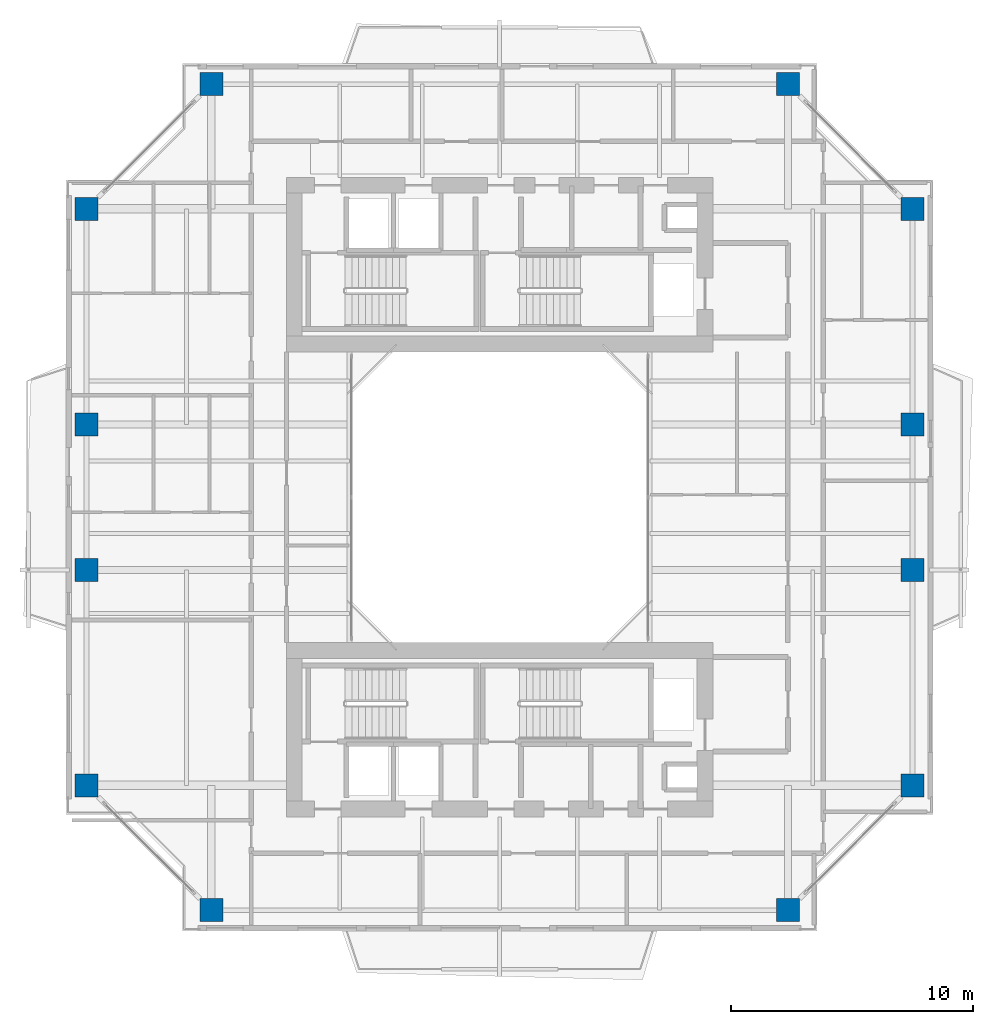
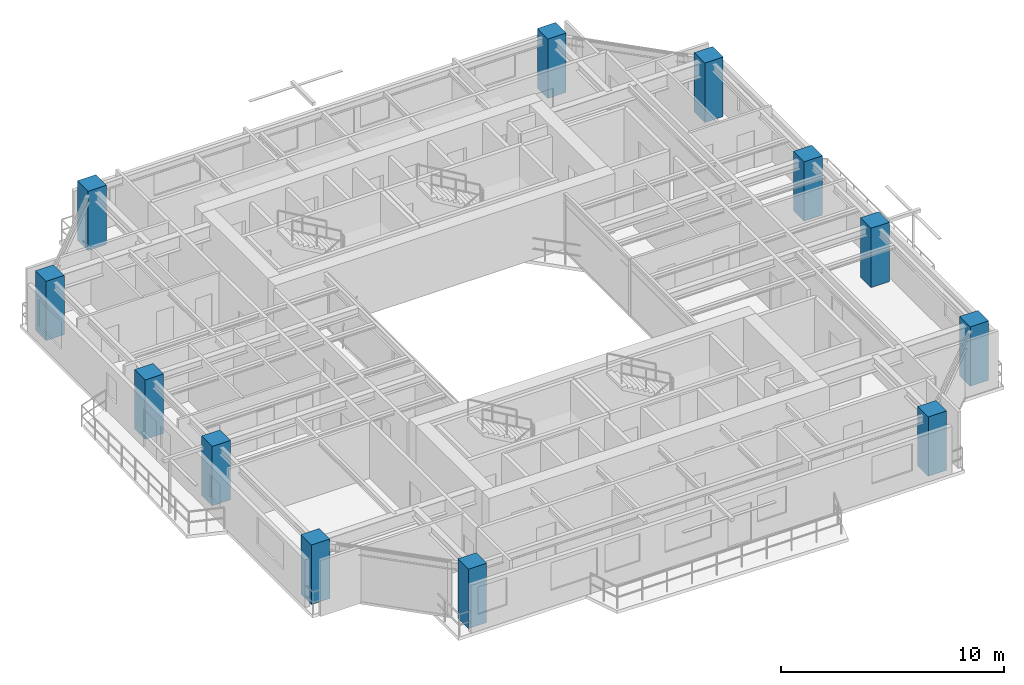
# One storey, part 1 of 17: 12 columns.
"""IFC4 building model written with IfcOpenShell, lengths in metres."""

from ifc_helpers import new_model, si_unit, direction, frame, origin, origin_2d, place, context, subcontext, project, spatial, rectangle, extrude, source, transform, mapped, material, material_profile, profile_set, type_object, element, save


model = new_model("IFC4")

# Units and contexts
model_context = context("Model", 3, precision=1e-05, world=origin(), true_north=direction((0.0, 1.0)))
body_context = subcontext(model_context, "Body", "Model", "MODEL_VIEW")
ifc_project = project(units=[si_unit("LENGTHUNIT", "METRE"), si_unit("AREAUNIT", "SQUARE_METRE"), si_unit("VOLUMEUNIT", "CUBIC_METRE"), si_unit("PLANEANGLEUNIT", "RADIAN"), si_unit("MASSUNIT", "GRAM", prefix="KILO"), si_unit("THERMODYNAMICTEMPERATUREUNIT", "KELVIN"), si_unit("POWERUNIT", "WATT")], contexts=[model_context])

# Site, building, storey
site_placement = place(None, origin())
site = spatial("IfcSite", under=ifc_project, at=site_placement, CompositionType="ELEMENT")
building_placement = place(site_placement, origin())
building = spatial("IfcBuilding", under=site, at=building_placement, Name="Qiaomeng Ring Towers", CompositionType="ELEMENT")
storey_placement = place(building_placement, frame((0.0, 0.0, 150.25)))
storey = spatial("IfcBuildingStorey", under=building, at=storey_placement, Name="L43", CompositionType="ELEMENT", Elevation=150.25)

# Columns
ifc_material = material(Name="Concrete C50", Category="concrete")
ifc_material_profile = material_profile(ifc_material, rectangle(XDim=0.949951171875, YDim=0.949951171875, at=origin_2d()), Name="RC COL 950x950")
ifc_profile_set = profile_set([ifc_material_profile], Name="Concrete C50")
column_type = type_object("IfcColumnType", Name="STR-COL-950-C50", PredefinedType="COLUMN", material=ifc_profile_set)
shared_shape = source(origin(), body_context, "Body", "SweptSolid", [
    extrude(rectangle(XDim=0.949951171875, YDim=0.949951171875, at=origin_2d()), origin(), (0.0, 0.0, 1.0), 3.25),
])
for number, where, z_axis, x_axis, name in (
    (1, (7.10009765625, 5.949951171875, 0.0), (0.0, 0.0, 1.0), (1.0, 0.0, 0.0), "L43 column STR-COL-L43-T1-S1"),
    (2, (30.89990234375, 5.949951171875, 0.0), (0.0, 0.0, 1.0), (1.0, 0.0, 0.0), "L43 column STR-COL-L43-T1-S2"),
    (3, (36.050048828125, 11.10009765625, 0.0), (0.0, 0.0, 1.0), (1.0, 0.0, 0.0), "L43 column STR-COL-L43-T1-E1"),
    (4, (36.050048828125, 20.0, 0.0), (0.0, 0.0, 1.0), (1.0, 0.0, 0.0), "L43 column STR-COL-L43-T1-E2"),
    (5, (36.050048828125, 26.0, 0.0), (0.0, 0.0, 1.0), (1.0, 0.0, 0.0), "L43 column STR-COL-L43-T1-E3"),
    (6, (36.050048828125, 34.89990234375, 0.0), (0.0, 0.0, 1.0), (1.0, 0.0, 0.0), "L43 column STR-COL-L43-T1-E4"),
    (7, (30.89990234375, 40.050048828125, 0.0), (0.0, 0.0, 1.0), (1.0, 0.0, 0.0), "L43 column STR-COL-L43-T1-N2"),
    (8, (7.10009765625, 40.050048828125, 0.0), (0.0, 0.0, 1.0), (1.0, 0.0, 0.0), "L43 column STR-COL-L43-T1-N1"),
    (9, (1.949951171875, 34.89990234375, 0.0), (0.0, 0.0, 1.0), (1.0, 0.0, 0.0), "L43 column STR-COL-L43-T1-W4"),
    (10, (1.949951171875, 26.0, 0.0), (0.0, 0.0, 1.0), (1.0, 0.0, 0.0), "L43 column STR-COL-L43-T1-W3"),
    (11, (1.949951171875, 20.0, 0.0), (0.0, 0.0, 1.0), (1.0, 0.0, 0.0), "L43 column STR-COL-L43-T1-W2"),
    (12, (1.949951171875, 11.10009765625, 0.0), (0.0, 0.0, 1.0), (1.0, 0.0, 0.0), "L43 column STR-COL-L43-T1-W1"),
):
    element("IfcColumn", number, at=place(storey_placement, frame(where, z_axis=z_axis, x_axis=x_axis)), inside=storey, type_object=column_type, Name=name, PredefinedType="COLUMN", context=body_context, shape_type="MappedRepresentation", body=[
        mapped(shared_shape, transform((0.0, 0.0, 0.0), x_axis=(1.0, 0.0, 0.0), y_axis=(0.0, 1.0, 0.0), z_axis=(0.0, 0.0, 1.0), scale=1.0)),
    ])

save(model, "model.ifc")
